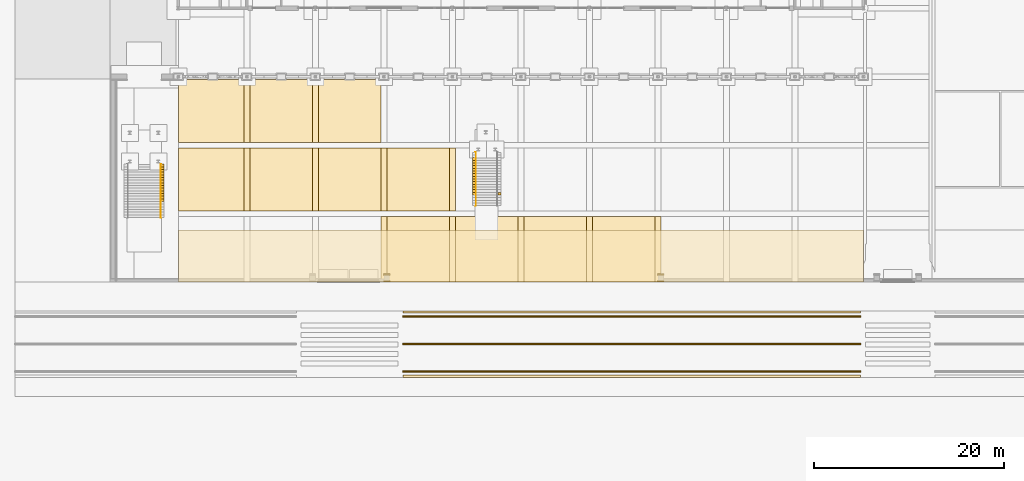
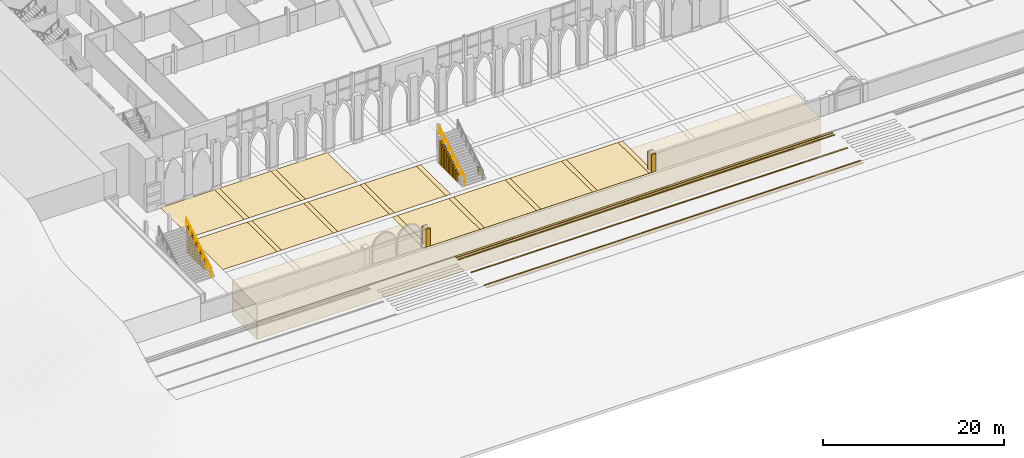
# One storey, part 116 of 148: 62 coverings, 2 railings.
"""IFC4 building model written with IfcOpenShell, lengths in metres."""

import ifcopenshell
import ifcopenshell.guid

model = None  # the IFC model being written
_history = None  # IfcOwnerHistory: only IFC2X3 demands one
_inside = {}  # id of a spatial element -> (the spatial element, [elements in it])
_under = {}  # id of a project, library or spatial element -> (it, [spatial elements below it])
_declared = {}  # id of a project -> (the project, [libraries it declares])
_typed = {}  # id of a type object -> (the type object, [elements of that type])
_made_of = {}  # id of a material, layer set ... -> (it, [elements and type objects made of it])


def new_model(schema):
    """Start an empty IFC model of exactly this schema.

    Asked for "IFC4X3", IfcOpenShell would pick the latest addendum, in which some entities
    have other attributes; the version numbers below select the first issue.
    IFC2X3 requires an IfcOwnerHistory on every rooted entity: one is made here for all.
    """
    global model, _history
    if schema == "IFC4X3":
        model = ifcopenshell.file(schema_version=(4, 3, 0, 0))
    else:
        model = ifcopenshell.file(schema=schema)
    _inside.clear()
    _under.clear()
    _declared.clear()
    _typed.clear()
    _made_of.clear()
    _history = None
    if model.schema == "IFC2X3":
        org = make("IfcOrganization", Name="unknown")
        user = make(
            "IfcPersonAndOrganization",
            ThePerson=make("IfcPerson", FamilyName="unknown"),
            TheOrganization=org,
        )
        app = make(
            "IfcApplication",
            ApplicationDeveloper=org,
            Version="unknown",
            ApplicationFullName="unknown",
            ApplicationIdentifier="unknown",
        )
        _history = make(
            "IfcOwnerHistory",
            OwningUser=user,
            OwningApplication=app,
            ChangeAction="ADDED",
            CreationDate=0,
        )
    return model


def make(cls, **values):
    """One entity of the class cls with the attributes given. An attribute that is None is left unset."""
    return model.create_entity(
        cls, **{name: value for name, value in values.items() if value is not None}
    )


def rooted(cls, **values):
    """An entity with a GlobalId (a new one), such as an element, a storey or a relation."""
    return make(cls, GlobalId=ifcopenshell.guid.new(), OwnerHistory=_history, **values)


def si_unit(unit_type, name, prefix=None):
    """IfcSIUnit, for example si_unit("LENGTHUNIT", "METRE", prefix="MILLI")."""
    return make("IfcSIUnit", UnitType=unit_type, Prefix=prefix, Name=name)


def assignment(units):
    """IfcUnitAssignment: the units of a project."""
    return None if units is None else make("IfcUnitAssignment", Units=units)


def point(xyz):
    """IfcCartesianPoint."""
    return None if xyz is None else make("IfcCartesianPoint", Coordinates=xyz)


def direction(xyz):
    """IfcDirection."""
    return None if xyz is None else make("IfcDirection", DirectionRatios=xyz)


def frame(location, z_axis=None, x_axis=None):
    """IfcAxis2Placement3D, a coordinate frame: its origin and axes. An axis left out is left unset."""
    return make(
        "IfcAxis2Placement3D",
        Location=point(location),
        Axis=direction(z_axis),
        RefDirection=direction(x_axis),
    )


def frame_2d(location, x_axis=None):
    """IfcAxis2Placement2D, a coordinate frame in the plane: its origin and x axis."""
    return make(
        "IfcAxis2Placement2D", Location=point(location), RefDirection=direction(x_axis)
    )


def origin():
    """The frame at (0, 0, 0) with its axes left unset."""
    return frame((0.0, 0.0, 0.0))


def origin_2d():
    """The frame at (0, 0) in the plane with its x axis left unset."""
    return frame_2d((0.0, 0.0))


def place(relative_to, where):
    """IfcLocalPlacement: puts the frame where relative to a parent placement (None: the world)."""
    return make(
        "IfcLocalPlacement", PlacementRelTo=relative_to, RelativePlacement=where
    )


def context(
    kind, dimensions, precision=None, world=None, true_north=None, identifier=None
):
    """IfcGeometricRepresentationContext, for example the 3D "Model" context."""
    return make(
        "IfcGeometricRepresentationContext",
        ContextIdentifier=identifier,
        ContextType=kind,
        CoordinateSpaceDimension=dimensions,
        Precision=precision,
        WorldCoordinateSystem=world,
        TrueNorth=true_north,
    )


def subcontext(parent, identifier, kind, view, scale=None):
    """IfcGeometricRepresentationSubContext, for example "Body" below "Model"."""
    return make(
        "IfcGeometricRepresentationSubContext",
        ContextIdentifier=identifier,
        ContextType=kind,
        ParentContext=parent,
        TargetScale=scale,
        TargetView=view,
    )


def project(units=None, contexts=None):
    """IfcProject with its units and contexts."""
    return rooted(
        "IfcProject",
        Name="project",
        RepresentationContexts=contexts,
        UnitsInContext=assignment(units),
    )


def spatial(cls, under=None, at=None, **own):
    """A site, building, storey or space (cls), placed at a placement, below another one or the project."""
    s = rooted(cls, ObjectPlacement=at, **own)
    if under is not None:
        _under.setdefault(under.id(), (under, []))[1].append(s)
    return s


def polyline(points):
    """IfcPolyline through the points."""
    return make("IfcPolyline", Points=[point(p) for p in points])


def profile(cls, at=None, kind="AREA", **sizes):
    """A parametric profile (cls). Its sizes go by their IFC names, for example OverallWidth=200.0."""
    return make(cls, ProfileType=kind, Position=at, **sizes)


def circle(**sizes):
    """IfcCircleProfileDef."""
    return profile("IfcCircleProfileDef", **sizes)


def outline(outer, holes=None, kind="AREA"):
    """IfcArbitraryClosedProfileDef: a profile drawn as a closed curve; with holes, ...WithVoids."""
    if holes is None:
        return make("IfcArbitraryClosedProfileDef", ProfileType=kind, OuterCurve=outer)
    return make(
        "IfcArbitraryProfileDefWithVoids",
        ProfileType=kind,
        OuterCurve=outer,
        InnerCurves=holes,
    )


def extrude(swept, where, along, depth):
    """IfcExtrudedAreaSolid: the profile swept, set in the frame where, extruded along a direction by depth."""
    return make(
        "IfcExtrudedAreaSolid",
        SweptArea=swept,
        Position=where,
        ExtrudedDirection=direction(along),
        Depth=depth,
    )


def shape(context_of_items, identifier, shape_type, items):
    """IfcShapeRepresentation: the items that make up one representation, for example the "Body"."""
    return make(
        "IfcShapeRepresentation",
        ContextOfItems=context_of_items,
        RepresentationIdentifier=identifier,
        RepresentationType=shape_type,
        Items=items,
    )


def material(Name=None, Category=None):
    """IfcMaterial."""
    return make("IfcMaterial", Name=Name, Category=Category)


def layer(
    of_material, thickness, ventilated=None, Name=None, Category=None, Priority=None
):
    """IfcMaterialLayer: one layer of a wall or slab, of a material (None: an air gap)."""
    return make(
        "IfcMaterialLayer",
        Material=of_material,
        LayerThickness=thickness,
        IsVentilated=ventilated,
        Name=Name,
        Category=Category,
        Priority=Priority,
    )


def layer_set(layers, Name=None):
    """IfcMaterialLayerSet."""
    return make("IfcMaterialLayerSet", MaterialLayers=layers, LayerSetName=Name)


def made_of(thing, what):
    """Note that an element or type object is made of a material, layer set ...; save() writes the relation."""
    if what is not None:
        _made_of.setdefault(what.id(), (what, []))[1].append(thing)
    return thing


def type_object(cls, material=None, **own):
    """A type object (cls), such as IfcWallType, which elements share."""
    return made_of(rooted(cls, **own), material)


def element(
    cls,
    number,
    at=None,
    inside=None,
    cuts=None,
    type_object=None,
    material=None,
    context=None,
    identifier="Body",
    shape_type=None,
    held_by="IfcProductDefinitionShape",
    body=None,
    shapes=None,
    **own,
):
    """One element of the class cls, such as IfcWall. Its Tag is "e" and its number.

    at: its placement. inside: the storey or other place that contains it. cuts: it is an
    opening in that element (IfcRelVoidsElement). A single representation is given by context,
    identifier, shape_type and body (its items); several are given by shapes. held_by: the class
    of the entity that holds the representations. save() writes the other relations.
    """
    e = rooted(cls, Tag="e%d" % number, ObjectPlacement=at, **own)
    if body is not None:
        shapes = [shape(context, identifier, shape_type, body)]
    if shapes is not None:
        e.Representation = make(held_by, Representations=shapes)
    if inside is not None:
        _inside.setdefault(inside.id(), (inside, []))[1].append(e)
    if cuts is not None:
        rooted(
            "IfcRelVoidsElement", RelatingBuildingElement=cuts, RelatedOpeningElement=e
        )
    if type_object is not None:
        _typed.setdefault(type_object.id(), (type_object, []))[1].append(e)
    return made_of(e, material)


def aggregate(whole, parts):
    """IfcRelAggregates: a whole, such as a stair, and the parts it consists of."""
    return rooted("IfcRelAggregates", RelatingObject=whole, RelatedObjects=parts)


def save(model, path):
    """Write the relations noted so far, then the file.

    IfcRelAggregates (storeys below a building ...), IfcRelContainedInSpatialStructure (elements
    in a storey), IfcRelDefinesByType, IfcRelAssociatesMaterial and IfcRelDeclares: one each for
    every whole, place, type object, material and project.
    """
    for whole, parts in _under.values():
        aggregate(whole, parts)
    for where, things in _inside.values():
        rooted(
            "IfcRelContainedInSpatialStructure",
            RelatedElements=things,
            RelatingStructure=where,
        )
    for kind, things in _typed.values():
        rooted("IfcRelDefinesByType", RelatedObjects=things, RelatingType=kind)
    for what, things in _made_of.values():
        rooted("IfcRelAssociatesMaterial", RelatedObjects=things, RelatingMaterial=what)
    for by, libraries in _declared.values():
        rooted("IfcRelDeclares", RelatingContext=by, RelatedDefinitions=libraries)
    model.write(path)


model = new_model("IFC4")

# Units and contexts
model_context = context("Model", 3, precision=1e-05, world=origin(), true_north=direction((0.0, 1.0)))
body_context = subcontext(model_context, "Body", "Model", "MODEL_VIEW")
ifc_project = project(units=[si_unit("LENGTHUNIT", "METRE"), si_unit("AREAUNIT", "SQUARE_METRE"), si_unit("VOLUMEUNIT", "CUBIC_METRE"), si_unit("PLANEANGLEUNIT", "RADIAN"), si_unit("MASSUNIT", "GRAM", prefix="KILO")], contexts=[model_context])

# Site, building, storey
site_placement = place(None, origin())
site = spatial("IfcSite", under=ifc_project, at=site_placement, CompositionType="ELEMENT")
building_placement = place(site_placement, origin())
building = spatial("IfcBuilding", under=site, at=building_placement, Name="Kupolbacken Congress Centre", CompositionType="ELEMENT")
storey_placement = place(building_placement, origin())
storey = spatial("IfcBuildingStorey", under=building, at=storey_placement, Name="L00", CompositionType="ELEMENT", Elevation=0.0)

# Coverings
ifc_material_1 = material(Name="Limestone cladding", Category="masonry")
ifc_layer_1 = layer(ifc_material_1, 0.1201171875)
ifc_layer_set_1 = layer_set([ifc_layer_1], Name="Limestone cladding")
covering_type_1 = type_object("IfcCoveringType", Name="CV1 limestone cladding band 120", PredefinedType="CLADDING", material=ifc_layer_set_1)
covering_1_placement = place(storey_placement, origin())
element("IfcCovering", 1, at=covering_1_placement, inside=storey, type_object=covering_type_1, Name="Gate pier limestone facing", PredefinedType="CLADDING", context=body_context, shape_type="SweptSolid", body=[
    extrude(outline(polyline([(28.800048828125, 0.02490234375), (28.800048828125, 0.14501953125), (29.39990234375, 0.14501953125), (29.39990234375, 0.02490234375), (28.800048828125, 0.02490234375)])), origin(), (0.0, 0.0, 1.0), 2.39990234375),
])
covering_2_placement = place(storey_placement, origin())
element("IfcCovering", 2, at=covering_2_placement, inside=storey, type_object=covering_type_1, Name="Gate pier limestone facing", PredefinedType="CLADDING", context=body_context, shape_type="SweptSolid", body=[
    extrude(outline(polyline([(28.800048828125, 0.7451171875), (28.800048828125, 0.864990234375), (29.39990234375, 0.864990234375), (29.39990234375, 0.7451171875), (28.800048828125, 0.7451171875)])), origin(), (0.0, 0.0, 1.0), 2.39990234375),
])
covering_3_placement = place(storey_placement, origin())
element("IfcCovering", 3, at=covering_3_placement, inside=storey, type_object=covering_type_1, Name="Gate pier limestone facing", PredefinedType="CLADDING", context=body_context, shape_type="SweptSolid", body=[
    extrude(outline(polyline([(57.60009765625, 0.02490234375), (57.60009765625, 0.14501953125), (58.199951171875, 0.14501953125), (58.199951171875, 0.02490234375), (57.60009765625, 0.02490234375)])), origin(), (0.0, 0.0, 1.0), 2.39990234375),
])
covering_4_placement = place(storey_placement, origin())
element("IfcCovering", 4, at=covering_4_placement, inside=storey, type_object=covering_type_1, Name="Gate pier limestone facing", PredefinedType="CLADDING", context=body_context, shape_type="SweptSolid", body=[
    extrude(outline(polyline([(57.60009765625, 0.7451171875), (57.60009765625, 0.864990234375), (58.199951171875, 0.864990234375), (58.199951171875, 0.7451171875), (57.60009765625, 0.7451171875)])), origin(), (0.0, 0.0, 1.0), 2.39990234375),
])
covering_5_placement = place(storey_placement, origin())
element("IfcCovering", 5, at=covering_5_placement, inside=storey, type_object=covering_type_1, Name="Stair cheek wall", PredefinedType="CLADDING", context=body_context, shape_type="SweptSolid", body=[
    extrude(outline(polyline([(5.39990234375, 8.47998046875), (5.39990234375, 8.760009765625), (5.699951171875, 8.760009765625), (5.699951171875, 8.47998046875), (5.39990234375, 8.47998046875)])), origin(), (0.0, 0.0, 1.0), 1.349853515625),
])
covering_6_placement = place(storey_placement, origin())
element("IfcCovering", 6, at=covering_6_placement, inside=storey, type_object=covering_type_1, Name="Stair cheek wall", PredefinedType="CLADDING", context=body_context, shape_type="SweptSolid", body=[
    extrude(outline(polyline([(5.39990234375, 8.760009765625), (5.39990234375, 9.0400390625), (5.699951171875, 9.0400390625), (5.699951171875, 8.760009765625), (5.39990234375, 8.760009765625)])), origin(), (0.0, 0.0, 1.0), 1.521240234375),
])
covering_7_placement = place(storey_placement, origin())
element("IfcCovering", 7, at=covering_7_placement, inside=storey, type_object=covering_type_1, Name="Stair cheek wall", PredefinedType="CLADDING", context=body_context, shape_type="SweptSolid", body=[
    extrude(outline(polyline([(5.39990234375, 9.0400390625), (5.39990234375, 9.320068359375), (5.699951171875, 9.320068359375), (5.699951171875, 9.0400390625), (5.39990234375, 9.0400390625)])), origin(), (0.0, 0.0, 1.0), 1.692626953125),
])
covering_8_placement = place(storey_placement, origin())
element("IfcCovering", 8, at=covering_8_placement, inside=storey, type_object=covering_type_1, Name="Stair cheek wall", PredefinedType="CLADDING", context=body_context, shape_type="SweptSolid", body=[
    extrude(outline(polyline([(5.39990234375, 9.320068359375), (5.39990234375, 9.60009765625), (5.699951171875, 9.60009765625), (5.699951171875, 9.320068359375), (5.39990234375, 9.320068359375)])), origin(), (0.0, 0.0, 1.0), 1.864013671875),
])
covering_9_placement = place(storey_placement, origin())
element("IfcCovering", 9, at=covering_9_placement, inside=storey, type_object=covering_type_1, Name="Stair cheek wall", PredefinedType="CLADDING", context=body_context, shape_type="SweptSolid", body=[
    extrude(outline(polyline([(5.39990234375, 9.60009765625), (5.39990234375, 9.8798828125), (5.699951171875, 9.8798828125), (5.699951171875, 9.60009765625), (5.39990234375, 9.60009765625)])), origin(), (0.0, 0.0, 1.0), 2.035400390625),
])
covering_10_placement = place(storey_placement, origin())
element("IfcCovering", 10, at=covering_10_placement, inside=storey, type_object=covering_type_1, Name="Stair cheek wall", PredefinedType="CLADDING", context=body_context, shape_type="SweptSolid", body=[
    extrude(outline(polyline([(5.39990234375, 9.8798828125), (5.39990234375, 10.159912109375), (5.699951171875, 10.159912109375), (5.699951171875, 9.8798828125), (5.39990234375, 9.8798828125)])), origin(), (0.0, 0.0, 1.0), 2.206787109375),
])
covering_11_placement = place(storey_placement, origin())
element("IfcCovering", 11, at=covering_11_placement, inside=storey, type_object=covering_type_1, Name="Stair cheek wall", PredefinedType="CLADDING", context=body_context, shape_type="SweptSolid", body=[
    extrude(outline(polyline([(5.39990234375, 10.159912109375), (5.39990234375, 10.43994140625), (5.699951171875, 10.43994140625), (5.699951171875, 10.159912109375), (5.39990234375, 10.159912109375)])), origin(), (0.0, 0.0, 1.0), 2.378173828125),
])
covering_12_placement = place(storey_placement, origin())
element("IfcCovering", 12, at=covering_12_placement, inside=storey, type_object=covering_type_1, Name="Stair cheek wall", PredefinedType="CLADDING", context=body_context, shape_type="SweptSolid", body=[
    extrude(outline(polyline([(5.39990234375, 10.43994140625), (5.39990234375, 10.719970703125), (5.699951171875, 10.719970703125), (5.699951171875, 10.43994140625), (5.39990234375, 10.43994140625)])), origin(), (0.0, 0.0, 1.0), 2.549560546875),
])
covering_13_placement = place(storey_placement, origin())
element("IfcCovering", 13, at=covering_13_placement, inside=storey, type_object=covering_type_1, Name="Stair cheek wall", PredefinedType="CLADDING", context=body_context, shape_type="SweptSolid", body=[
    extrude(outline(polyline([(5.39990234375, 10.719970703125), (5.39990234375, 11.0), (5.699951171875, 11.0), (5.699951171875, 10.719970703125), (5.39990234375, 10.719970703125)])), origin(), (0.0, 0.0, 1.0), 2.720947265625),
])
covering_14_placement = place(storey_placement, origin())
element("IfcCovering", 14, at=covering_14_placement, inside=storey, type_object=covering_type_1, Name="Stair cheek wall", PredefinedType="CLADDING", context=body_context, shape_type="SweptSolid", body=[
    extrude(outline(polyline([(5.39990234375, 11.0), (5.39990234375, 11.280029296875), (5.699951171875, 11.280029296875), (5.699951171875, 11.0), (5.39990234375, 11.0)])), origin(), (0.0, 0.0, 1.0), 2.892333984375),
])
covering_15_placement = place(storey_placement, origin())
element("IfcCovering", 15, at=covering_15_placement, inside=storey, type_object=covering_type_1, Name="Stair cheek wall", PredefinedType="CLADDING", context=body_context, shape_type="SweptSolid", body=[
    extrude(outline(polyline([(5.39990234375, 11.280029296875), (5.39990234375, 11.56005859375), (5.699951171875, 11.56005859375), (5.699951171875, 11.280029296875), (5.39990234375, 11.280029296875)])), origin(), (0.0, 0.0, 1.0), 3.063720703125),
])
covering_16_placement = place(storey_placement, origin())
element("IfcCovering", 16, at=covering_16_placement, inside=storey, type_object=covering_type_1, Name="Stair cheek wall", PredefinedType="CLADDING", context=body_context, shape_type="SweptSolid", body=[
    extrude(outline(polyline([(5.39990234375, 11.56005859375), (5.39990234375, 11.840087890625), (5.699951171875, 11.840087890625), (5.699951171875, 11.56005859375), (5.39990234375, 11.56005859375)])), origin(), (0.0, 0.0, 1.0), 3.235107421875),
])
covering_17_placement = place(storey_placement, origin())
element("IfcCovering", 17, at=covering_17_placement, inside=storey, type_object=covering_type_1, Name="Stair cheek wall", PredefinedType="CLADDING", context=body_context, shape_type="SweptSolid", body=[
    extrude(outline(polyline([(5.39990234375, 11.840087890625), (5.39990234375, 12.1201171875), (5.699951171875, 12.1201171875), (5.699951171875, 11.840087890625), (5.39990234375, 11.840087890625)])), origin(), (0.0, 0.0, 1.0), 3.406494140625),
])
covering_18_placement = place(storey_placement, origin())
element("IfcCovering", 18, at=covering_18_placement, inside=storey, type_object=covering_type_1, Name="Stair cheek wall", PredefinedType="CLADDING", context=body_context, shape_type="SweptSolid", body=[
    extrude(outline(polyline([(5.39990234375, 12.1201171875), (5.39990234375, 12.39990234375), (5.699951171875, 12.39990234375), (5.699951171875, 12.1201171875), (5.39990234375, 12.1201171875)])), origin(), (0.0, 0.0, 1.0), 3.577880859375),
])
covering_19_placement = place(storey_placement, frame((0.0, 0.0, 0.02001953125)))
element("IfcCovering", 19, at=covering_19_placement, inside=storey, type_object=covering_type_1, Name="Stair cheek wall", PredefinedType="CLADDING", context=body_context, shape_type="SweptSolid", body=[
    extrude(outline(polyline([(40.800048828125, 9.169921875), (40.800048828125, 9.449951171875), (41.10009765625, 9.449951171875), (41.10009765625, 9.169921875), (40.800048828125, 9.169921875)])), origin(), (0.0, 0.0, 1.0), 0.987060546875),
])
covering_20_placement = place(storey_placement, frame((0.0, 0.0, 0.02001953125)))
element("IfcCovering", 20, at=covering_20_placement, inside=storey, type_object=covering_type_1, Name="Stair cheek wall", PredefinedType="CLADDING", context=body_context, shape_type="SweptSolid", body=[
    extrude(outline(polyline([(38.39990234375, 9.169921875), (38.39990234375, 9.449951171875), (38.10009765625, 9.449951171875), (38.10009765625, 9.169921875), (38.39990234375, 9.169921875)])), origin(), (0.0, 0.0, 1.0), 0.987060546875),
])
covering_21_placement = place(storey_placement, frame((0.0, 0.0, 0.02001953125)))
element("IfcCovering", 21, at=covering_21_placement, inside=storey, type_object=covering_type_1, Name="Stair cheek wall", PredefinedType="CLADDING", context=body_context, shape_type="SweptSolid", body=[
    extrude(outline(polyline([(38.39990234375, 9.449951171875), (38.39990234375, 9.72998046875), (38.10009765625, 9.72998046875), (38.10009765625, 9.449951171875), (38.39990234375, 9.449951171875)])), origin(), (0.0, 0.0, 1.0), 1.158447265625),
])
covering_22_placement = place(storey_placement, frame((0.0, 0.0, 0.02001953125)))
element("IfcCovering", 22, at=covering_22_placement, inside=storey, type_object=covering_type_1, Name="Stair cheek wall", PredefinedType="CLADDING", context=body_context, shape_type="SweptSolid", body=[
    extrude(outline(polyline([(38.39990234375, 9.72998046875), (38.39990234375, 10.010009765625), (38.10009765625, 10.010009765625), (38.10009765625, 9.72998046875), (38.39990234375, 9.72998046875)])), origin(), (0.0, 0.0, 1.0), 1.329833984375),
])
covering_23_placement = place(storey_placement, frame((0.0, 0.0, 0.02001953125)))
element("IfcCovering", 23, at=covering_23_placement, inside=storey, type_object=covering_type_1, Name="Stair cheek wall", PredefinedType="CLADDING", context=body_context, shape_type="SweptSolid", body=[
    extrude(outline(polyline([(38.39990234375, 10.010009765625), (38.39990234375, 10.2900390625), (38.10009765625, 10.2900390625), (38.10009765625, 10.010009765625), (38.39990234375, 10.010009765625)])), origin(), (0.0, 0.0, 1.0), 1.501220703125),
])
covering_24_placement = place(storey_placement, frame((0.0, 0.0, 0.02001953125)))
element("IfcCovering", 24, at=covering_24_placement, inside=storey, type_object=covering_type_1, Name="Stair cheek wall", PredefinedType="CLADDING", context=body_context, shape_type="SweptSolid", body=[
    extrude(outline(polyline([(38.39990234375, 10.2900390625), (38.39990234375, 10.570068359375), (38.10009765625, 10.570068359375), (38.10009765625, 10.2900390625), (38.39990234375, 10.2900390625)])), origin(), (0.0, 0.0, 1.0), 1.672607421875),
])
covering_25_placement = place(storey_placement, frame((0.0, 0.0, 0.02001953125)))
element("IfcCovering", 25, at=covering_25_placement, inside=storey, type_object=covering_type_1, Name="Stair cheek wall", PredefinedType="CLADDING", context=body_context, shape_type="SweptSolid", body=[
    extrude(outline(polyline([(38.39990234375, 10.570068359375), (38.39990234375, 10.85009765625), (38.10009765625, 10.85009765625), (38.10009765625, 10.570068359375), (38.39990234375, 10.570068359375)])), origin(), (0.0, 0.0, 1.0), 1.843994140625),
])
covering_26_placement = place(storey_placement, frame((0.0, 0.0, 0.02001953125)))
element("IfcCovering", 26, at=covering_26_placement, inside=storey, type_object=covering_type_1, Name="Stair cheek wall", PredefinedType="CLADDING", context=body_context, shape_type="SweptSolid", body=[
    extrude(outline(polyline([(38.39990234375, 10.85009765625), (38.39990234375, 11.1298828125), (38.10009765625, 11.1298828125), (38.10009765625, 10.85009765625), (38.39990234375, 10.85009765625)])), origin(), (0.0, 0.0, 1.0), 2.015380859375),
])
covering_27_placement = place(storey_placement, frame((0.0, 0.0, 0.02001953125)))
element("IfcCovering", 27, at=covering_27_placement, inside=storey, type_object=covering_type_1, Name="Stair cheek wall", PredefinedType="CLADDING", context=body_context, shape_type="SweptSolid", body=[
    extrude(outline(polyline([(38.39990234375, 11.1298828125), (38.39990234375, 11.409912109375), (38.10009765625, 11.409912109375), (38.10009765625, 11.1298828125), (38.39990234375, 11.1298828125)])), origin(), (0.0, 0.0, 1.0), 2.186767578125),
])
covering_28_placement = place(storey_placement, frame((0.0, 0.0, 0.02001953125)))
element("IfcCovering", 28, at=covering_28_placement, inside=storey, type_object=covering_type_1, Name="Stair cheek wall", PredefinedType="CLADDING", context=body_context, shape_type="SweptSolid", body=[
    extrude(outline(polyline([(38.39990234375, 11.409912109375), (38.39990234375, 11.68994140625), (38.10009765625, 11.68994140625), (38.10009765625, 11.409912109375), (38.39990234375, 11.409912109375)])), origin(), (0.0, 0.0, 1.0), 2.358154296875),
])
covering_29_placement = place(storey_placement, frame((0.0, 0.0, 0.02001953125)))
element("IfcCovering", 29, at=covering_29_placement, inside=storey, type_object=covering_type_1, Name="Stair cheek wall", PredefinedType="CLADDING", context=body_context, shape_type="SweptSolid", body=[
    extrude(outline(polyline([(38.39990234375, 11.68994140625), (38.39990234375, 11.969970703125), (38.10009765625, 11.969970703125), (38.10009765625, 11.68994140625), (38.39990234375, 11.68994140625)])), origin(), (0.0, 0.0, 1.0), 2.529541015625),
])
covering_30_placement = place(storey_placement, frame((0.0, 0.0, 0.02001953125)))
element("IfcCovering", 30, at=covering_30_placement, inside=storey, type_object=covering_type_1, Name="Stair cheek wall", PredefinedType="CLADDING", context=body_context, shape_type="SweptSolid", body=[
    extrude(outline(polyline([(38.39990234375, 11.969970703125), (38.39990234375, 12.25), (38.10009765625, 12.25), (38.10009765625, 11.969970703125), (38.39990234375, 11.969970703125)])), origin(), (0.0, 0.0, 1.0), 2.700927734375),
])
covering_31_placement = place(storey_placement, frame((0.0, 0.0, 0.02001953125)))
element("IfcCovering", 31, at=covering_31_placement, inside=storey, type_object=covering_type_1, Name="Stair cheek wall", PredefinedType="CLADDING", context=body_context, shape_type="SweptSolid", body=[
    extrude(outline(polyline([(38.39990234375, 12.25), (38.39990234375, 12.530029296875), (38.10009765625, 12.530029296875), (38.10009765625, 12.25), (38.39990234375, 12.25)])), origin(), (0.0, 0.0, 1.0), 2.872314453125),
])
covering_32_placement = place(storey_placement, frame((0.0, 0.0, 0.02001953125)))
element("IfcCovering", 32, at=covering_32_placement, inside=storey, type_object=covering_type_1, Name="Stair cheek wall", PredefinedType="CLADDING", context=body_context, shape_type="SweptSolid", body=[
    extrude(outline(polyline([(38.39990234375, 12.530029296875), (38.39990234375, 12.81005859375), (38.10009765625, 12.81005859375), (38.10009765625, 12.530029296875), (38.39990234375, 12.530029296875)])), origin(), (0.0, 0.0, 1.0), 3.043701171875),
])
covering_33_placement = place(storey_placement, frame((0.0, 0.0, 0.02001953125)))
element("IfcCovering", 33, at=covering_33_placement, inside=storey, type_object=covering_type_1, Name="Stair cheek wall", PredefinedType="CLADDING", context=body_context, shape_type="SweptSolid", body=[
    extrude(outline(polyline([(38.39990234375, 12.81005859375), (38.39990234375, 13.090087890625), (38.10009765625, 13.090087890625), (38.10009765625, 12.81005859375), (38.39990234375, 12.81005859375)])), origin(), (0.0, 0.0, 1.0), 3.215087890625),
])
ifc_material_2 = material(Name="Limestone cladding", Category="masonry")
ifc_layer_2 = layer(ifc_material_2, 0.02001953125)
ifc_layer_set_2 = layer_set([ifc_layer_2], Name="Limestone cladding")
covering_type_2 = type_object("IfcCoveringType", Name="GF1 limestone paving 20", PredefinedType="FLOORING", material=ifc_layer_set_2)
covering_34_placement = place(storey_placement, origin())
element("IfcCovering", 34, at=covering_34_placement, inside=storey, type_object=covering_type_2, Name="Court paving band", PredefinedType="FLOORING", context=body_context, shape_type="SweptSolid", body=[
    extrude(outline(polyline([(14.10009765625, 7.5), (14.10009765625, 14.10009765625), (14.699951171875, 14.10009765625), (14.699951171875, 7.5), (14.10009765625, 7.5)])), origin(), (0.0, 0.0, 1.0), 0.02001953125),
])
covering_35_placement = place(storey_placement, origin())
element("IfcCovering", 35, at=covering_35_placement, inside=storey, type_object=covering_type_2, Name="Court paving band", PredefinedType="FLOORING", context=body_context, shape_type="SweptSolid", body=[
    extrude(outline(polyline([(14.10009765625, 14.699951171875), (14.10009765625, 21.300048828125), (14.699951171875, 21.300048828125), (14.699951171875, 14.699951171875), (14.10009765625, 14.699951171875)])), origin(), (0.0, 0.0, 1.0), 0.02001953125),
])
covering_36_placement = place(storey_placement, origin())
element("IfcCovering", 36, at=covering_36_placement, inside=storey, type_object=covering_type_2, Name="Court paving band", PredefinedType="FLOORING", context=body_context, shape_type="SweptSolid", body=[
    extrude(outline(polyline([(21.300048828125, 7.5), (21.300048828125, 14.10009765625), (21.89990234375, 14.10009765625), (21.89990234375, 7.5), (21.300048828125, 7.5)])), origin(), (0.0, 0.0, 1.0), 0.02001953125),
])
covering_37_placement = place(storey_placement, origin())
element("IfcCovering", 37, at=covering_37_placement, inside=storey, type_object=covering_type_2, Name="Court paving band", PredefinedType="FLOORING", context=body_context, shape_type="SweptSolid", body=[
    extrude(outline(polyline([(21.300048828125, 14.699951171875), (21.300048828125, 21.300048828125), (21.89990234375, 21.300048828125), (21.89990234375, 14.699951171875), (21.300048828125, 14.699951171875)])), origin(), (0.0, 0.0, 1.0), 0.02001953125),
])
covering_38_placement = place(storey_placement, origin())
element("IfcCovering", 38, at=covering_38_placement, inside=storey, type_object=covering_type_2, Name="Court paving band", PredefinedType="FLOORING", context=body_context, shape_type="SweptSolid", body=[
    extrude(outline(polyline([(28.5, 6.89990234375), (29.10009765625, 6.89990234375), (29.10009765625, 0.00341796875), (28.5, 0.00341796875), (28.5, 6.89990234375)])), origin(), (0.0, 0.0, 1.0), 0.02001953125),
])
covering_39_placement = place(storey_placement, origin())
element("IfcCovering", 39, at=covering_39_placement, inside=storey, type_object=covering_type_2, Name="Court paving band", PredefinedType="FLOORING", context=body_context, shape_type="SweptSolid", body=[
    extrude(outline(polyline([(28.5, 7.5), (28.5, 14.10009765625), (29.10009765625, 14.10009765625), (29.10009765625, 7.5), (28.5, 7.5)])), origin(), (0.0, 0.0, 1.0), 0.02001953125),
])
covering_40_placement = place(storey_placement, origin())
element("IfcCovering", 40, at=covering_40_placement, inside=storey, type_object=covering_type_2, Name="Court paving band", PredefinedType="FLOORING", context=body_context, shape_type="SweptSolid", body=[
    extrude(outline(polyline([(35.699951171875, 6.89990234375), (36.300048828125, 6.89990234375), (36.300048828125, 0.00341796875), (35.699951171875, 0.00341796875), (35.699951171875, 6.89990234375)])), origin(), (0.0, 0.0, 1.0), 0.02001953125),
])
covering_41_placement = place(storey_placement, origin())
element("IfcCovering", 41, at=covering_41_placement, inside=storey, type_object=covering_type_2, Name="Court paving band", PredefinedType="FLOORING", context=body_context, shape_type="SweptSolid", body=[
    extrude(outline(polyline([(35.699951171875, 7.5), (35.699951171875, 14.10009765625), (36.300048828125, 14.10009765625), (36.300048828125, 7.5), (35.699951171875, 7.5)])), origin(), (0.0, 0.0, 1.0), 0.02001953125),
])
covering_42_placement = place(storey_placement, origin())
element("IfcCovering", 42, at=covering_42_placement, inside=storey, type_object=covering_type_2, Name="Court paving band", PredefinedType="FLOORING", context=body_context, shape_type="SweptSolid", body=[
    extrude(outline(polyline([(42.89990234375, 6.89990234375), (43.5, 6.89990234375), (43.5, 0.00341796875), (42.89990234375, 0.00341796875), (42.89990234375, 6.89990234375)])), origin(), (0.0, 0.0, 1.0), 0.02001953125),
])
covering_43_placement = place(storey_placement, origin())
element("IfcCovering", 43, at=covering_43_placement, inside=storey, type_object=covering_type_2, Name="Court paving band", PredefinedType="FLOORING", context=body_context, shape_type="SweptSolid", body=[
    extrude(outline(polyline([(50.10009765625, 6.89990234375), (50.699951171875, 6.89990234375), (50.699951171875, 0.00341796875), (50.10009765625, 0.00341796875), (50.10009765625, 6.89990234375)])), origin(), (0.0, 0.0, 1.0), 0.02001953125),
])
covering_44_placement = place(storey_placement, origin())
element("IfcCovering", 44, at=covering_44_placement, inside=storey, type_object=covering_type_2, Name="Court paving band", PredefinedType="FLOORING", context=body_context, shape_type="SweptSolid", body=[
    extrude(outline(polyline([(57.300048828125, 6.89990234375), (57.89990234375, 6.89990234375), (57.89990234375, 0.00341796875), (57.300048828125, 0.00341796875), (57.300048828125, 6.89990234375)])), origin(), (0.0, 0.0, 1.0), 0.02001953125),
])
covering_45_placement = place(storey_placement, frame((0.0, 0.0, -0.14990234375)))
element("IfcCovering", 45, at=covering_45_placement, inside=storey, type_object=covering_type_2, Name="Street edge line", PredefinedType="FLOORING", context=body_context, shape_type="SweptSolid", body=[
    extrude(outline(polyline([(30.800048828125, -9.449951171875), (30.800048828125, -9.300048828125), (78.89990234375, -9.300048828125), (78.89990234375, -9.449951171875), (30.800048828125, -9.449951171875)])), origin(), (0.0, 0.0, 1.0), 0.02001953125),
])
covering_46_placement = place(storey_placement, frame((0.0, 0.0, -0.14990234375)))
element("IfcCovering", 46, at=covering_46_placement, inside=storey, type_object=covering_type_2, Name="Street edge line", PredefinedType="FLOORING", context=body_context, shape_type="SweptSolid", body=[
    extrude(outline(polyline([(30.800048828125, -3.699951171875), (30.800048828125, -3.550048828125), (78.89990234375, -3.550048828125), (78.89990234375, -3.699951171875), (30.800048828125, -3.699951171875)])), origin(), (0.0, 0.0, 1.0), 0.02001953125),
])
covering_47_placement = place(storey_placement, frame((0.0, 0.0, -0.14990234375)))
element("IfcCovering", 47, at=covering_47_placement, inside=storey, type_object=covering_type_2, Name="Street centre line", PredefinedType="FLOORING", context=body_context, shape_type="SweptSolid", body=[
    extrude(outline(polyline([(30.800048828125, -6.574951171875), (30.800048828125, -6.425048828125), (78.89990234375, -6.425048828125), (78.89990234375, -6.574951171875), (30.800048828125, -6.574951171875)])), origin(), (0.0, 0.0, 1.0), 0.02001953125),
])
ifc_material_3 = material(Name="Brick", Category="masonry")
ifc_layer_3 = layer(ifc_material_3, 0.02001953125)
ifc_layer_set_3 = layer_set([ifc_layer_3], Name="Brick")
covering_type_3 = type_object("IfcCoveringType", Name="GF2 brick paving 20", PredefinedType="FLOORING", material=ifc_layer_set_3)
covering_48_placement = place(storey_placement, origin())
element("IfcCovering", 48, at=covering_48_placement, inside=storey, type_object=covering_type_3, Name="Court brick paving", PredefinedType="FLOORING", context=body_context, shape_type="SweptSolid", body=[
    extrude(outline(polyline([(7.202392578125, 14.10009765625), (14.10009765625, 14.10009765625), (14.10009765625, 7.5), (7.202392578125, 7.5), (7.202392578125, 14.10009765625)])), origin(), (0.0, 0.0, 1.0), 0.02001953125),
])
covering_49_placement = place(storey_placement, origin())
element("IfcCovering", 49, at=covering_49_placement, inside=storey, type_object=covering_type_3, Name="Court brick paving", PredefinedType="FLOORING", context=body_context, shape_type="SweptSolid", body=[
    extrude(outline(polyline([(7.202392578125, 21.300048828125), (14.10009765625, 21.300048828125), (14.10009765625, 14.699951171875), (7.202392578125, 14.699951171875), (7.202392578125, 21.300048828125)])), origin(), (0.0, 0.0, 1.0), 0.02001953125),
])
covering_50_placement = place(storey_placement, origin())
element("IfcCovering", 50, at=covering_50_placement, inside=storey, type_object=covering_type_3, Name="Court brick paving", PredefinedType="FLOORING", context=body_context, shape_type="SweptSolid", body=[
    extrude(outline(polyline([(50.699951171875, 0.00341796875), (50.699951171875, 6.89990234375), (57.300048828125, 6.89990234375), (57.300048828125, 0.00341796875), (50.699951171875, 0.00341796875)])), origin(), (0.0, 0.0, 1.0), 0.02001953125),
])
covering_51_placement = place(storey_placement, origin())
element("IfcCovering", 51, at=covering_51_placement, inside=storey, type_object=covering_type_3, Name="Court brick paving", PredefinedType="FLOORING", context=body_context, shape_type="SweptSolid", body=[
    extrude(outline(polyline([(43.5, 0.00341796875), (43.5, 6.89990234375), (50.10009765625, 6.89990234375), (50.10009765625, 0.00341796875), (43.5, 0.00341796875)])), origin(), (0.0, 0.0, 1.0), 0.02001953125),
])
covering_52_placement = place(storey_placement, origin())
element("IfcCovering", 52, at=covering_52_placement, inside=storey, type_object=covering_type_3, Name="Court brick paving", PredefinedType="FLOORING", context=body_context, shape_type="SweptSolid", body=[
    extrude(outline(polyline([(36.300048828125, 0.00341796875), (36.300048828125, 6.89990234375), (42.89990234375, 6.89990234375), (42.89990234375, 0.00341796875), (36.300048828125, 0.00341796875)])), origin(), (0.0, 0.0, 1.0), 0.02001953125),
])
covering_53_placement = place(storey_placement, origin())
element("IfcCovering", 53, at=covering_53_placement, inside=storey, type_object=covering_type_3, Name="Court brick paving", PredefinedType="FLOORING", context=body_context, shape_type="SweptSolid", body=[
    extrude(outline(polyline([(29.10009765625, 0.00341796875), (29.10009765625, 6.89990234375), (35.699951171875, 6.89990234375), (35.699951171875, 0.00341796875), (29.10009765625, 0.00341796875)])), origin(), (0.0, 0.0, 1.0), 0.02001953125),
])
covering_54_placement = place(storey_placement, origin())
element("IfcCovering", 54, at=covering_54_placement, inside=storey, type_object=covering_type_3, Name="Court brick paving", PredefinedType="FLOORING", context=body_context, shape_type="SweptSolid", body=[
    extrude(outline(polyline([(14.699951171875, 21.300048828125), (21.300048828125, 21.300048828125), (21.300048828125, 14.699951171875), (14.699951171875, 14.699951171875), (14.699951171875, 21.300048828125)])), origin(), (0.0, 0.0, 1.0), 0.02001953125),
])
covering_55_placement = place(storey_placement, origin())
element("IfcCovering", 55, at=covering_55_placement, inside=storey, type_object=covering_type_3, Name="Court brick paving", PredefinedType="FLOORING", context=body_context, shape_type="SweptSolid", body=[
    extrude(outline(polyline([(21.89990234375, 21.300048828125), (28.5, 21.300048828125), (28.5, 14.699951171875), (21.89990234375, 14.699951171875), (21.89990234375, 21.300048828125)])), origin(), (0.0, 0.0, 1.0), 0.02001953125),
])
covering_56_placement = place(storey_placement, origin())
element("IfcCovering", 56, at=covering_56_placement, inside=storey, type_object=covering_type_3, Name="Court brick paving", PredefinedType="FLOORING", context=body_context, shape_type="SweptSolid", body=[
    extrude(outline(polyline([(35.699951171875, 7.5), (29.10009765625, 7.5), (29.10009765625, 14.10009765625), (35.699951171875, 14.10009765625), (35.699951171875, 7.5)])), origin(), (0.0, 0.0, 1.0), 0.02001953125),
])
covering_57_placement = place(storey_placement, origin())
element("IfcCovering", 57, at=covering_57_placement, inside=storey, type_object=covering_type_3, Name="Court brick paving", PredefinedType="FLOORING", context=body_context, shape_type="SweptSolid", body=[
    extrude(outline(polyline([(28.5, 7.5), (21.89990234375, 7.5), (21.89990234375, 14.10009765625), (28.5, 14.10009765625), (28.5, 7.5)])), origin(), (0.0, 0.0, 1.0), 0.02001953125),
])
covering_58_placement = place(storey_placement, origin())
element("IfcCovering", 58, at=covering_58_placement, inside=storey, type_object=covering_type_3, Name="Court brick paving", PredefinedType="FLOORING", context=body_context, shape_type="SweptSolid", body=[
    extrude(outline(polyline([(21.300048828125, 7.5), (14.699951171875, 7.5), (14.699951171875, 14.10009765625), (21.300048828125, 14.10009765625), (21.300048828125, 7.5)])), origin(), (0.0, 0.0, 1.0), 0.02001953125),
])
ifc_material_4 = material(Name="Granite setts", Category="masonry")
ifc_layer_4 = layer(ifc_material_4, 0.10009765625)
ifc_layer_set_4 = layer_set([ifc_layer_4], Name="Granite setts")
covering_type_4 = type_object("IfcCoveringType", Name="GR3 granite sett paving 100", PredefinedType="FLOORING", material=ifc_layer_set_4)
covering_59_placement = place(storey_placement, frame((0.0, 0.0, -0.14990234375)))
element("IfcCovering", 59, at=covering_59_placement, inside=storey, type_object=covering_type_4, Name="Street granite kerb", PredefinedType="FLOORING", context=body_context, shape_type="SweptSolid", body=[
    extrude(outline(polyline([(30.800048828125, -9.998046875), (30.800048828125, -9.75), (78.89990234375, -9.75), (78.89990234375, -9.998046875), (30.800048828125, -9.998046875)])), origin(), (0.0, 0.0, 1.0), 0.099853515625),
])
covering_60_placement = place(storey_placement, frame((0.0, 0.0, -0.14990234375)))
element("IfcCovering", 60, at=covering_60_placement, inside=storey, type_object=covering_type_4, Name="Street granite kerb", PredefinedType="FLOORING", context=body_context, shape_type="SweptSolid", body=[
    extrude(outline(polyline([(78.89990234375, -3.001953125), (78.89990234375, -3.25), (30.800048828125, -3.25), (30.800048828125, -3.001953125), (78.89990234375, -3.001953125)])), origin(), (0.0, 0.0, 1.0), 0.099853515625),
])
ifc_material_5 = material(Name="Made ground", Category="soil")
ifc_layer_5 = layer(ifc_material_5, 2.39990234375)
ifc_layer_set_5 = layer_set([ifc_layer_5], Name="Made ground")
covering_type_5 = type_object("IfcCoveringType", Name="GR5 earthworks, made ground", PredefinedType="FLOORING", material=ifc_layer_set_5)
covering_61_placement = place(storey_placement, frame((0.0, 0.0, -2.5)))
element("IfcCovering", 61, at=covering_61_placement, inside=storey, type_object=covering_type_5, Name="Earth under court slab, made ground", PredefinedType="FLOORING", context=body_context, shape_type="SweptSolid", body=[
    extrude(outline(polyline([(7.200439453125, 5.5), (79.199462890625, 5.5), (79.199462890625, 0.00146484375), (7.200439453125, 0.00146484375), (7.200439453125, 5.5)])), origin(), (0.0, 0.0, 1.0), 2.26806640625),
])
ifc_material_6 = material(Name="Clay till", Category="soil")
ifc_layer_6 = layer(ifc_material_6, 2.39990234375)
ifc_layer_set_6 = layer_set([ifc_layer_6], Name="Clay till")
covering_type_6 = type_object("IfcCoveringType", Name="GR6 earthworks, clay till", PredefinedType="FLOORING", material=ifc_layer_set_6)
covering_62_placement = place(storey_placement, frame((0.0, 0.0, -4.89990234375)))
element("IfcCovering", 62, at=covering_62_placement, inside=storey, type_object=covering_type_6, Name="Earth under court slab, clay till", PredefinedType="FLOORING", context=body_context, shape_type="SweptSolid", body=[
    extrude(outline(polyline([(7.200439453125, 5.5), (79.199462890625, 5.5), (79.199462890625, 0.00146484375), (7.200439453125, 0.00146484375), (7.200439453125, 5.5)])), origin(), (0.0, 0.0, 1.0), 2.39990234375),
])

# Railings
ifc_material_7 = material(Name="Steel S235", Category="steel")
railing_type = type_object("IfcRailingType", Name="RL2 stair guard with handrail 900 / 1100", PredefinedType="GUARDRAIL", material=ifc_material_7)
for number, where, name in (
    (63, (5.35009765625, 6.800048828125, 0.17138671875), "C/xguard/XS1/XS1-A/E"),
    (64, (38.449951171875, 8.050048828125, 0.17138671875), "C/xguard/XS4/XS4-A/W"),
):
    element("IfcRailing", number, at=place(storey_placement, frame(where)), inside=storey, type_object=railing_type, Name=name, PredefinedType="GUARDRAIL", context=body_context, shape_type="SweptSolid", body=[
        extrude(circle(Radius=0.02392578125, at=origin_2d()), frame((0.0, 0.0, 1.076171875), z_axis=(0.0, 0.852885433425, 0.522098110944), x_axis=(-1.0, 0.0, 0.0)), (0.0, 0.0, 1.0), 6.565673828125),
        extrude(circle(Radius=0.02099609375, at=origin_2d()), origin(), (0.0, 0.0, 1.0), 1.052001953125),
        extrude(circle(Radius=0.02099609375, at=origin_2d()), frame((0.0, 0.933349609375, 0.5712890625)), (0.0, 0.0, 1.0), 1.052001953125),
        extrude(circle(Radius=0.02099609375, at=origin_2d()), frame((0.0, 1.86669921875, 1.142578125)), (0.0, 0.0, 1.0), 1.052001953125),
        extrude(circle(Radius=0.02099609375, at=origin_2d()), frame((0.0, 2.7998046875, 1.7138671875)), (0.0, 0.0, 1.0), 1.052001953125),
        extrude(circle(Radius=0.02099609375, at=origin_2d()), frame((0.0, 3.733154296875, 2.285400390625)), (0.0, 0.0, 1.0), 1.052001953125),
        extrude(circle(Radius=0.02099609375, at=origin_2d()), frame((0.0, 4.66650390625, 2.856689453125)), (0.0, 0.0, 1.0), 1.052001953125),
        extrude(circle(Radius=0.02099609375, at=origin_2d()), frame((0.0, 5.599853515625, 3.427978515625)), (0.0, 0.0, 1.0), 1.052001953125),
    ])

save(model, "model.ifc")
